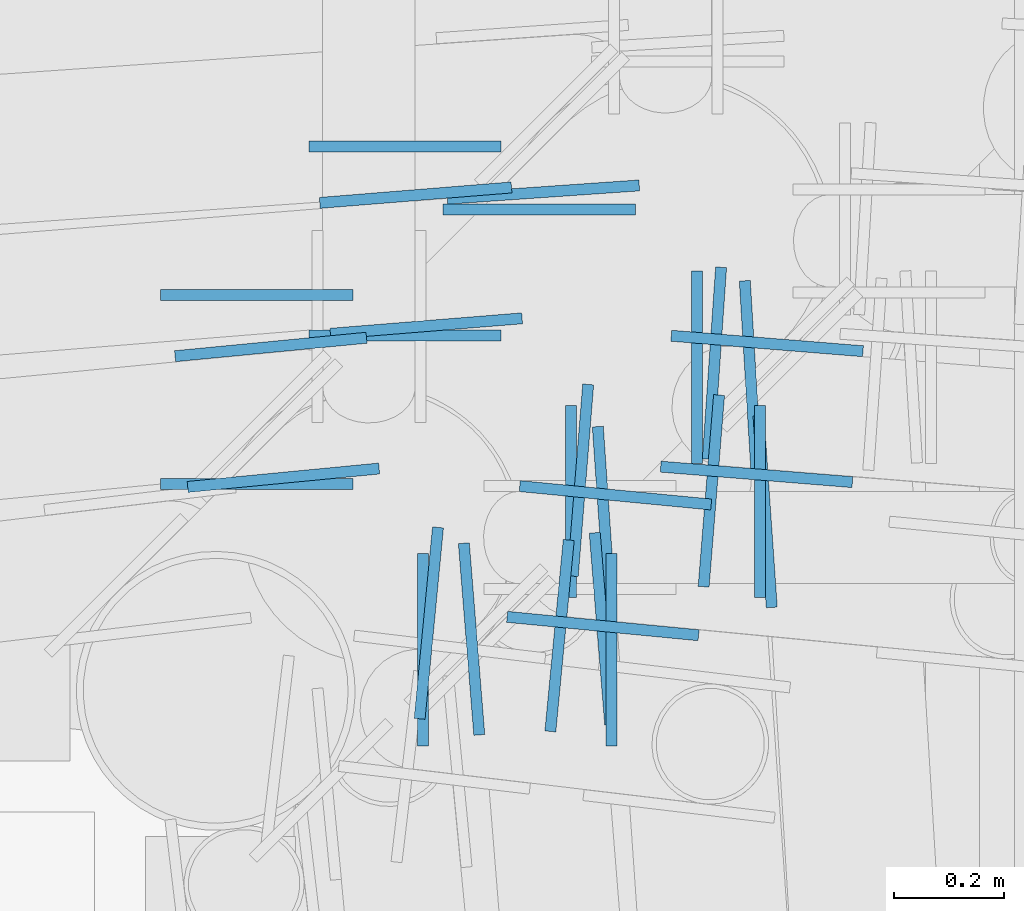
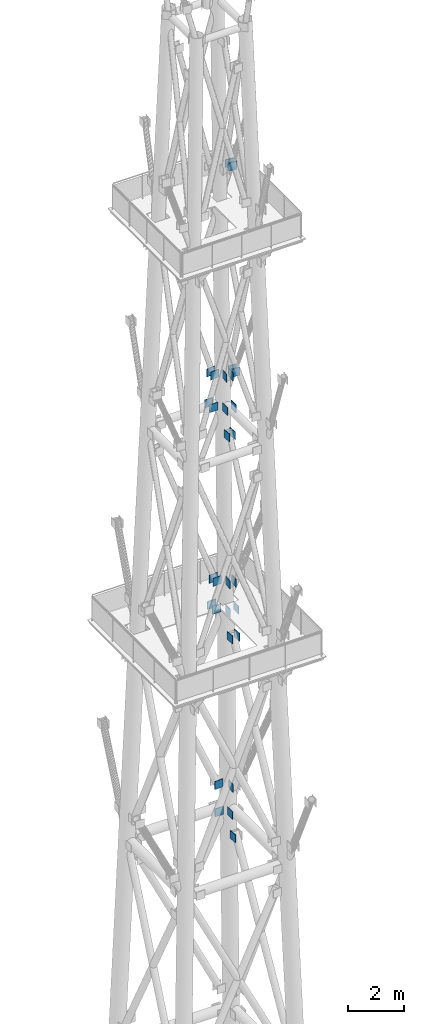
# One storey, part 20 of 25: 29 discrete accessories.
"""IFC4 building model written with IfcOpenShell, lengths in metres."""

import ifcopenshell
import ifcopenshell.guid

model = None  # the IFC model being written
_history = None  # IfcOwnerHistory: only IFC2X3 demands one
_inside = {}  # id of a spatial element -> (the spatial element, [elements in it])
_under = {}  # id of a project, library or spatial element -> (it, [spatial elements below it])
_declared = {}  # id of a project -> (the project, [libraries it declares])
_typed = {}  # id of a type object -> (the type object, [elements of that type])
_made_of = {}  # id of a material, layer set ... -> (it, [elements and type objects made of it])


def new_model(schema):
    """Start an empty IFC model of exactly this schema.

    Asked for "IFC4X3", IfcOpenShell would pick the latest addendum, in which some entities
    have other attributes; the version numbers below select the first issue.
    IFC2X3 requires an IfcOwnerHistory on every rooted entity: one is made here for all.
    """
    global model, _history
    if schema == "IFC4X3":
        model = ifcopenshell.file(schema_version=(4, 3, 0, 0))
    else:
        model = ifcopenshell.file(schema=schema)
    _inside.clear()
    _under.clear()
    _declared.clear()
    _typed.clear()
    _made_of.clear()
    _history = None
    if model.schema == "IFC2X3":
        org = make("IfcOrganization", Name="unknown")
        user = make(
            "IfcPersonAndOrganization",
            ThePerson=make("IfcPerson", FamilyName="unknown"),
            TheOrganization=org,
        )
        app = make(
            "IfcApplication",
            ApplicationDeveloper=org,
            Version="unknown",
            ApplicationFullName="unknown",
            ApplicationIdentifier="unknown",
        )
        _history = make(
            "IfcOwnerHistory",
            OwningUser=user,
            OwningApplication=app,
            ChangeAction="ADDED",
            CreationDate=0,
        )
    return model


def make(cls, **values):
    """One entity of the class cls with the attributes given. An attribute that is None is left unset."""
    return model.create_entity(
        cls, **{name: value for name, value in values.items() if value is not None}
    )


def rooted(cls, **values):
    """An entity with a GlobalId (a new one), such as an element, a storey or a relation."""
    return make(cls, GlobalId=ifcopenshell.guid.new(), OwnerHistory=_history, **values)


def si_unit(unit_type, name, prefix=None):
    """IfcSIUnit, for example si_unit("LENGTHUNIT", "METRE", prefix="MILLI")."""
    return make("IfcSIUnit", UnitType=unit_type, Prefix=prefix, Name=name)


def assignment(units):
    """IfcUnitAssignment: the units of a project."""
    return None if units is None else make("IfcUnitAssignment", Units=units)


def point(xyz):
    """IfcCartesianPoint."""
    return None if xyz is None else make("IfcCartesianPoint", Coordinates=xyz)


def direction(xyz):
    """IfcDirection."""
    return None if xyz is None else make("IfcDirection", DirectionRatios=xyz)


def frame(location, z_axis=None, x_axis=None):
    """IfcAxis2Placement3D, a coordinate frame: its origin and axes. An axis left out is left unset."""
    return make(
        "IfcAxis2Placement3D",
        Location=point(location),
        Axis=direction(z_axis),
        RefDirection=direction(x_axis),
    )


def frame_2d(location, x_axis=None):
    """IfcAxis2Placement2D, a coordinate frame in the plane: its origin and x axis."""
    return make(
        "IfcAxis2Placement2D", Location=point(location), RefDirection=direction(x_axis)
    )


def origin():
    """The frame at (0, 0, 0) with its axes left unset."""
    return frame((0.0, 0.0, 0.0))


def origin_2d():
    """The frame at (0, 0) in the plane with its x axis left unset."""
    return frame_2d((0.0, 0.0))


def place(relative_to, where):
    """IfcLocalPlacement: puts the frame where relative to a parent placement (None: the world)."""
    return make(
        "IfcLocalPlacement", PlacementRelTo=relative_to, RelativePlacement=where
    )


def context(
    kind, dimensions, precision=None, world=None, true_north=None, identifier=None
):
    """IfcGeometricRepresentationContext, for example the 3D "Model" context."""
    return make(
        "IfcGeometricRepresentationContext",
        ContextIdentifier=identifier,
        ContextType=kind,
        CoordinateSpaceDimension=dimensions,
        Precision=precision,
        WorldCoordinateSystem=world,
        TrueNorth=true_north,
    )


def subcontext(parent, identifier, kind, view, scale=None):
    """IfcGeometricRepresentationSubContext, for example "Body" below "Model"."""
    return make(
        "IfcGeometricRepresentationSubContext",
        ContextIdentifier=identifier,
        ContextType=kind,
        ParentContext=parent,
        TargetScale=scale,
        TargetView=view,
    )


def project(units=None, contexts=None):
    """IfcProject with its units and contexts."""
    return rooted(
        "IfcProject",
        Name="project",
        RepresentationContexts=contexts,
        UnitsInContext=assignment(units),
    )


def spatial(cls, under=None, at=None, **own):
    """A site, building, storey or space (cls), placed at a placement, below another one or the project."""
    s = rooted(cls, ObjectPlacement=at, **own)
    if under is not None:
        _under.setdefault(under.id(), (under, []))[1].append(s)
    return s


def profile(cls, at=None, kind="AREA", **sizes):
    """A parametric profile (cls). Its sizes go by their IFC names, for example OverallWidth=200.0."""
    return make(cls, ProfileType=kind, Position=at, **sizes)


def rectangle(**sizes):
    """IfcRectangleProfileDef."""
    return profile("IfcRectangleProfileDef", **sizes)


def extrude(swept, where, along, depth):
    """IfcExtrudedAreaSolid: the profile swept, set in the frame where, extruded along a direction by depth."""
    return make(
        "IfcExtrudedAreaSolid",
        SweptArea=swept,
        Position=where,
        ExtrudedDirection=direction(along),
        Depth=depth,
    )


def shape(context_of_items, identifier, shape_type, items):
    """IfcShapeRepresentation: the items that make up one representation, for example the "Body"."""
    return make(
        "IfcShapeRepresentation",
        ContextOfItems=context_of_items,
        RepresentationIdentifier=identifier,
        RepresentationType=shape_type,
        Items=items,
    )


def made_of(thing, what):
    """Note that an element or type object is made of a material, layer set ...; save() writes the relation."""
    if what is not None:
        _made_of.setdefault(what.id(), (what, []))[1].append(thing)
    return thing


def element(
    cls,
    number,
    at=None,
    inside=None,
    cuts=None,
    type_object=None,
    material=None,
    context=None,
    identifier="Body",
    shape_type=None,
    held_by="IfcProductDefinitionShape",
    body=None,
    shapes=None,
    **own,
):
    """One element of the class cls, such as IfcWall. Its Tag is "e" and its number.

    at: its placement. inside: the storey or other place that contains it. cuts: it is an
    opening in that element (IfcRelVoidsElement). A single representation is given by context,
    identifier, shape_type and body (its items); several are given by shapes. held_by: the class
    of the entity that holds the representations. save() writes the other relations.
    """
    e = rooted(cls, Tag="e%d" % number, ObjectPlacement=at, **own)
    if body is not None:
        shapes = [shape(context, identifier, shape_type, body)]
    if shapes is not None:
        e.Representation = make(held_by, Representations=shapes)
    if inside is not None:
        _inside.setdefault(inside.id(), (inside, []))[1].append(e)
    if cuts is not None:
        rooted(
            "IfcRelVoidsElement", RelatingBuildingElement=cuts, RelatedOpeningElement=e
        )
    if type_object is not None:
        _typed.setdefault(type_object.id(), (type_object, []))[1].append(e)
    return made_of(e, material)


def aggregate(whole, parts):
    """IfcRelAggregates: a whole, such as a stair, and the parts it consists of."""
    return rooted("IfcRelAggregates", RelatingObject=whole, RelatedObjects=parts)


def save(model, path):
    """Write the relations noted so far, then the file.

    IfcRelAggregates (storeys below a building ...), IfcRelContainedInSpatialStructure (elements
    in a storey), IfcRelDefinesByType, IfcRelAssociatesMaterial and IfcRelDeclares: one each for
    every whole, place, type object, material and project.
    """
    for whole, parts in _under.values():
        aggregate(whole, parts)
    for where, things in _inside.values():
        rooted(
            "IfcRelContainedInSpatialStructure",
            RelatedElements=things,
            RelatingStructure=where,
        )
    for kind, things in _typed.values():
        rooted("IfcRelDefinesByType", RelatedObjects=things, RelatingType=kind)
    for what, things in _made_of.values():
        rooted("IfcRelAssociatesMaterial", RelatedObjects=things, RelatingMaterial=what)
    for by, libraries in _declared.values():
        rooted("IfcRelDeclares", RelatingContext=by, RelatedDefinitions=libraries)
    model.write(path)


model = new_model("IFC4")

# Units and contexts
model_context = context("Model", 3, precision=1e-05, world=origin(), true_north=direction((0.0, 1.0)))
body_context = subcontext(model_context, "Body", "Model", "MODEL_VIEW")
ifc_project = project(units=[si_unit("LENGTHUNIT", "METRE"), si_unit("AREAUNIT", "SQUARE_METRE"), si_unit("VOLUMEUNIT", "CUBIC_METRE"), si_unit("PLANEANGLEUNIT", "RADIAN"), si_unit("MASSUNIT", "GRAM", prefix="KILO")], contexts=[model_context])

# Site, building, storey
site_placement = place(None, origin())
site = spatial("IfcSite", under=ifc_project, at=site_placement, CompositionType="ELEMENT")
building_placement = place(site_placement, origin())
building = spatial("IfcBuilding", under=site, at=building_placement, Name="Vidyagriha Tower", CompositionType="ELEMENT")
storey_placement = place(building_placement, frame((0.0, 0.0, 318.39990234375)))
storey = spatial("IfcBuildingStorey", under=building, at=storey_placement, Name="RF", CompositionType="ELEMENT", Elevation=318.39990234375)

# Discrete accessories
discrete_accessory_1_placement = place(storey_placement, frame((1.866943359375, 14.580078125, 13.824951171875), z_axis=(0.0, 0.0, 1.0), x_axis=(0.0, 1.0, 0.0)))
element("IfcDiscreteAccessory", 1, at=discrete_accessory_1_placement, inside=storey, Name="End plate ASTM A572 Grade 50 20mm", ObjectType="END PLATE", PredefinedType="USERDEFINED", context=body_context, shape_type="SweptSolid", body=[
    extrude(rectangle(XDim=0.35009765625, YDim=0.02001953125, at=origin_2d()), origin(), (0.0, 0.0, 1.0), 0.35009765625),
])
discrete_accessory_2_placement = place(storey_placement, frame((1.580078125, 14.866943359375, 13.824951171875)))
element("IfcDiscreteAccessory", 2, at=discrete_accessory_2_placement, inside=storey, Name="End plate ASTM A572 Grade 50 20mm", ObjectType="END PLATE", PredefinedType="USERDEFINED", context=body_context, shape_type="SweptSolid", body=[
    extrude(rectangle(XDim=0.35009765625, YDim=0.02001953125, at=origin_2d()), origin(), (0.0, 0.0, 1.0), 0.35009765625),
])
for number, where, z_axis, x_axis, name in (
    (3, (1.637939453125, 14.335693359375, 22.824951171875), (0.0, 0.0, 1.0), (0.0, 1.0, 0.0), "End plate ASTM A572 Grade 50 20mm"),
    (4, (1.98193359375, 14.335693359375, 22.824951171875), (0.0, 0.0, 1.0), (0.0, 1.0, 0.0), "End plate ASTM A572 Grade 50 20mm"),
):
    element("IfcDiscreteAccessory", number, at=place(storey_placement, frame(where, z_axis=z_axis, x_axis=x_axis)), inside=storey, Name=name, ObjectType="END PLATE", PredefinedType="USERDEFINED", context=body_context, shape_type="SweptSolid", body=[
        extrude(rectangle(XDim=0.35009765625, YDim=0.02001953125, at=origin_2d()), origin(), (0.0, 0.0, 1.0), 0.35009765625),
    ])
for number, where, name in (
    (5, (1.335693359375, 14.98193359375, 22.824951171875), "End plate ASTM A572 Grade 50 20mm"),
    (6, (1.335693359375, 14.637939453125, 22.824951171875), "End plate ASTM A572 Grade 50 20mm"),
):
    element("IfcDiscreteAccessory", number, at=place(storey_placement, frame(where)), inside=storey, Name=name, ObjectType="END PLATE", PredefinedType="USERDEFINED", context=body_context, shape_type="SweptSolid", body=[
        extrude(rectangle(XDim=0.35009765625, YDim=0.02001953125, at=origin_2d()), origin(), (0.0, 0.0, 1.0), 0.35009765625),
    ])
for number, where, z_axis, x_axis, name in (
    (7, (1.367919921875, 14.065673828125, 31.824951171875), (0.0, 0.0, 1.0), (0.0, 1.0, 0.0), "End plate ASTM A572 Grade 50 20mm"),
    (8, (1.7119140625, 14.065673828125, 31.824951171875), (0.0, 0.0, 1.0), (0.0, 1.0, 0.0), "End plate ASTM A572 Grade 50 20mm"),
):
    element("IfcDiscreteAccessory", number, at=place(storey_placement, frame(where, z_axis=z_axis, x_axis=x_axis)), inside=storey, Name=name, ObjectType="END PLATE", PredefinedType="USERDEFINED", context=body_context, shape_type="SweptSolid", body=[
        extrude(rectangle(XDim=0.35009765625, YDim=0.02001953125, at=origin_2d()), origin(), (0.0, 0.0, 1.0), 0.35009765625),
    ])
for number, where, name in (
    (9, (1.065673828125, 14.7119140625, 31.824951171875), "End plate ASTM A572 Grade 50 20mm"),
    (10, (1.065673828125, 14.367919921875, 31.824951171875), "End plate ASTM A572 Grade 50 20mm"),
):
    element("IfcDiscreteAccessory", number, at=place(storey_placement, frame(where)), inside=storey, Name=name, ObjectType="END PLATE", PredefinedType="USERDEFINED", context=body_context, shape_type="SweptSolid", body=[
        extrude(rectangle(XDim=0.35009765625, YDim=0.02001953125, at=origin_2d()), origin(), (0.0, 0.0, 1.0), 0.35009765625),
    ])
for number, where, z_axis, x_axis, name in (
    (11, (1.96484375, 14.562744140625, 12.792236328125), (0.0, 0.0, 1.0), (-0.060820326265, 0.998148730357, 0.0), "End plate ASTM A572 Grade 50 20mm"),
    (12, (1.69873046875, 14.29736328125, 21.662109375), (0.0, 0.0, 1.0), (-0.069220211754, 0.997601404512, 0.0), "End plate ASTM A572 Grade 50 20mm"),
    (13, (1.9912109375, 14.3173828125, 21.662109375), (0.0, 0.0, 1.0), (-0.069220211754, 0.997601404512, 0.0), "End plate ASTM A572 Grade 50 20mm"),
    (14, (1.89892578125, 14.58740234375, 14.988037109375), (0.0, 0.0, 1.0), (0.069244587734, 0.997599712846, 0.0), "End plate ASTM A572 Grade 50 20mm"),
    (15, (1.58740234375, 14.89892578125, 14.988037109375), (0.0, 0.0, 1.0), (0.997601404512, 0.069220211754, 0.0), "End plate ASTM A572 Grade 50 20mm"),
    (16, (1.456787109375, 14.085205078125, 30.628662109375), (0.0, 0.0, 1.0), (-0.080315484172, 0.996769493415, 0.0), "End plate ASTM A572 Grade 50 20mm"),
    (17, (1.695068359375, 14.104248046875, 30.628662109375), (0.0, 0.0, 1.0), (-0.080315484172, 0.996769493415, 0.0), "End plate ASTM A572 Grade 50 20mm"),
    (18, (1.655029296875, 14.374267578125, 24.021240234375), (0.0, 0.0, 1.0), (0.080339839821, 0.99676753064, 0.0), "End plate ASTM A572 Grade 50 20mm"),
    (19, (1.893310546875, 14.35498046875, 24.021240234375), (0.0, 0.0, 1.0), (0.080339839821, 0.99676753064, 0.0), "End plate ASTM A572 Grade 50 20mm"),
    (20, (1.35498046875, 14.893310546875, 24.021240234375), (0.0, 0.0, 1.0), (0.996769493415, 0.080315484172, 0.0), "End plate ASTM A572 Grade 50 20mm"),
    (21, (1.374267578125, 14.655029296875, 24.021240234375), (0.0, 0.0, 1.0), (0.996769493415, 0.080315484172, 0.0), "End plate ASTM A572 Grade 50 20mm"),
    (22, (1.9755859375, 14.385009765625, 33.021240234375), (0.0, 0.0, 1.0), (-0.996766829504, 0.080348538256, 0.0), "End plate ASTM A572 Grade 50 20mm"),
    (23, (1.994873046875, 14.623291015625, 33.021240234375), (0.0, 0.0, 1.0), (-0.996766829504, 0.080348538256, 0.0), "End plate ASTM A572 Grade 50 20mm"),
    (24, (1.37890625, 14.1142578125, 33.2255859375), (0.0, 0.0, 1.0), (0.095647699097, 0.995415248857, 0.0), "End plate ASTM A572 Grade 50 20mm"),
    (25, (1.616943359375, 14.09130859375, 33.2255859375), (0.0, 0.0, 1.0), (0.095647699097, 0.995415248857, 0.0), "End plate ASTM A572 Grade 50 20mm"),
    (26, (1.09130859375, 14.616943359375, 33.2255859375), (0.0, 0.0, 1.0), (0.995415248857, 0.095647699097, 0.0), "End plate ASTM A572 Grade 50 20mm"),
    (27, (1.1142578125, 14.37890625, 33.2255859375), (0.0, 0.0, 1.0), (0.995415248857, 0.095647699097, 0.0), "End plate ASTM A572 Grade 50 20mm"),
    (28, (1.69580078125, 14.10888671875, 42.2255859375), (0.0, 0.0, 1.0), (-0.995413913266, 0.095661597706, 0.0), "End plate ASTM A572 Grade 50 20mm"),
    (29, (1.71875, 14.346923828125, 42.2255859375), (0.0, 0.0, 1.0), (-0.995413913266, 0.095661597706, 0.0), "End plate ASTM A572 Grade 50 20mm"),
):
    element("IfcDiscreteAccessory", number, at=place(storey_placement, frame(where, z_axis=z_axis, x_axis=x_axis)), inside=storey, Name=name, ObjectType="END PLATE", PredefinedType="USERDEFINED", context=body_context, shape_type="SweptSolid", body=[
        extrude(rectangle(XDim=0.35009765625, YDim=0.02001953125, at=origin_2d()), origin(), (0.0, 0.0, 1.0), 0.35009765625),
    ])

save(model, "model.ifc")
